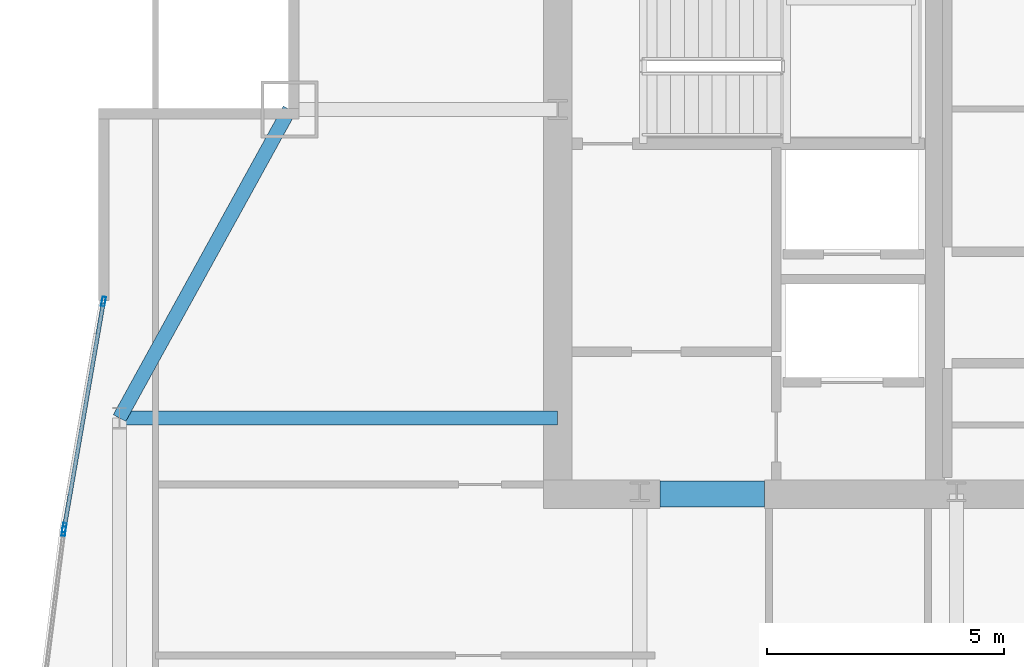
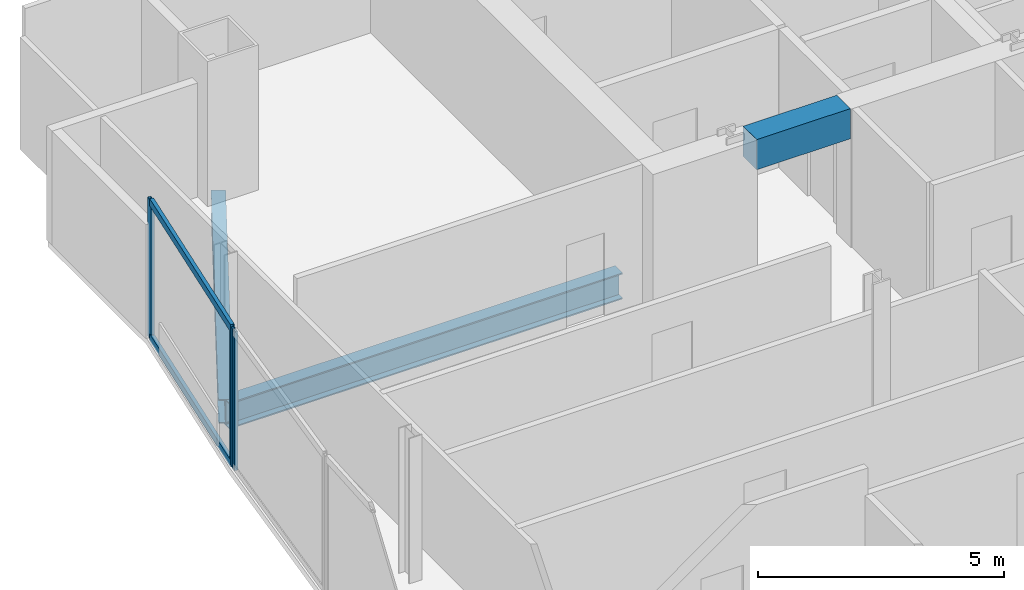
# One storey, part 20 of 30: 5 members, 3 beams, 2 elements without a shape of their own.
"""IFC4 building model written with IfcOpenShell, lengths in metres."""

from ifc_helpers import new_model, si_unit, direction, frame, origin, origin_2d, place, context, subcontext, project, spatial, rectangle, hollow_rectangle, i_section, extrude, material, material_profile, profile_set, type_object, element, aggregate, save


model = new_model("IFC4")

# Units and contexts
model_context = context("Model", 3, precision=1e-05, world=origin(), true_north=direction((0.0, 1.0)))
body_context = subcontext(model_context, "Body", "Model", "MODEL_VIEW")
ifc_project = project(units=[si_unit("LENGTHUNIT", "METRE"), si_unit("AREAUNIT", "SQUARE_METRE"), si_unit("VOLUMEUNIT", "CUBIC_METRE"), si_unit("PLANEANGLEUNIT", "RADIAN"), si_unit("MASSUNIT", "GRAM", prefix="KILO")], contexts=[model_context])

# Site, building, storey
site_placement = place(None, origin())
site = spatial("IfcSite", under=ifc_project, at=site_placement, CompositionType="ELEMENT")
building_placement = place(site_placement, origin())
building = spatial("IfcBuilding", under=site, at=building_placement, Name="Khoronbel Lancet Exchange", CompositionType="ELEMENT")
storey_placement = place(building_placement, frame((0.0, 0.0, 224.60009765625)))
storey = spatial("IfcBuildingStorey", under=building, at=storey_placement, Name="L57", CompositionType="ELEMENT", Elevation=224.60009765625)

# Beams
ifc_material_1 = material(Name="Steel S355", Category="steel")
ifc_material_profile_1 = material_profile(ifc_material_1, i_section(OverallWidth=0.300048828125, OverallDepth=0.64990234375, WebThickness=0.01611328125, FlangeThickness=0.031005859375, at=origin_2d()), Name="HEB 650")
ifc_profile_set_1 = profile_set([ifc_material_profile_1], Name="Steel S355")
beam_type_1 = type_object("IfcBeamType", Name="BM-BG4", PredefinedType="BEAM", material=ifc_profile_set_1)
beam_1_placement = place(storey_placement, frame((7.27001953125, 43.199951171875, -0.485107421875), z_axis=(1.0, 0.0, 0.0), x_axis=(0.0, 1.0, 0.0)))
element("IfcBeam", 1, at=beam_1_placement, inside=storey, type_object=beam_type_1, Name="Level L57 west lens tie girder LG3W", PredefinedType="BEAM", context=body_context, shape_type="SweptSolid", body=[
    extrude(i_section(OverallWidth=0.300048828125, OverallDepth=0.64990234375, WebThickness=0.01611328125, FlangeThickness=0.031005859375, at=origin_2d()), origin(), (0.0, 0.0, 1.0), 9.22998046875),
])
ifc_material_2 = material(Name="Concrete C60/75", Category="concrete")
ifc_material_profile_2 = material_profile(ifc_material_2, rectangle(XDim=0.550048828125, YDim=0.75, at=origin_2d()), Name="RC 550x750")
ifc_profile_set_2 = profile_set([ifc_material_profile_2], Name="Concrete C60/75")
beam_type_2 = type_object("IfcBeamType", Name="BM-BL2", PredefinedType="LINTEL", material=ifc_profile_set_2)
beam_2_placement = place(storey_placement, frame((18.64990234375, 41.60009765625, 3.06494140625), z_axis=(1.0, 0.0, 0.0), x_axis=(0.0, 1.0, 0.0)))
element("IfcBeam", 2, at=beam_2_placement, inside=storey, type_object=beam_type_2, Name="Level L57 rear core coupling lintel L1", PredefinedType="LINTEL", context=body_context, shape_type="SweptSolid", body=[
    extrude(rectangle(XDim=0.550048828125, YDim=0.75, at=origin_2d()), origin(), (0.0, 0.0, 1.0), 2.2001953125),
])
ifc_material_profile_3 = material_profile(ifc_material_1, i_section(OverallWidth=0.300048828125, OverallDepth=0.60009765625, WebThickness=0.015380859375, FlangeThickness=0.030029296875, at=origin_2d()), Name="HEB 600")
ifc_profile_set_3 = profile_set([ifc_material_profile_3], Name="Steel S355")
beam_type_3 = type_object("IfcBeamType", Name="BM-BSP2", PredefinedType="SPANDREL", material=ifc_profile_set_3)
beam_3_placement = place(storey_placement, frame((10.85009765625, 49.699951171875, -0.460205078125), z_axis=(-0.482444051088, -0.875926787791, 0.0), x_axis=(0.875926787791, -0.482444051088, 0.0)))
element("IfcBeam", 3, at=beam_3_placement, inside=storey, type_object=beam_type_3, Name="Level L57 perimeter spandrel beam SP16", PredefinedType="SPANDREL", context=body_context, shape_type="SweptSolid", body=[
    extrude(i_section(OverallWidth=0.300048828125, OverallDepth=0.60009765625, WebThickness=0.015380859375, FlangeThickness=0.030029296875, at=origin_2d()), origin(), (0.0, 0.0, 1.0), 7.420654296875),
])

# Curtain wall, member
ifc_material_3 = material(Name="Low-E Solar Control Insulating Glass", Category="glass")
curtain_wall_type = type_object("IfcCurtainWallType", Name="CW-4", PredefinedType="NOTDEFINED", material=ifc_material_3)
curtain_wall_1_placement = place(storey_placement, origin())
curtain_wall_1 = element("IfcCurtainWall", 4, at=curtain_wall_1_placement, inside=storey, type_object=curtain_wall_type, Name="Unitised curtain wall CW-L57-E08", PredefinedType="NOTDEFINED")
ifc_material_4 = material(Name="Bronze-Anodised Aluminium 6063-T6", Category="aluminium")
ifc_material_profile_4 = material_profile(ifc_material_4, hollow_rectangle(XDim=0.074951171875, YDim=0.199951171875, WallThickness=0.0048828125, at=origin_2d()), Name="ALU MULLION 75x200")
ifc_profile_set_4 = profile_set([ifc_material_profile_4], Name="Bronze-Anodised Aluminium 6063-T6")
member_type_1 = type_object("IfcMemberType", Name="MEM-CWM2", PredefinedType="MULLION", material=ifc_profile_set_4)
member_1_placement = place(storey_placement, frame((6.09619140625, 40.816162109375, 0.0), z_axis=(0.0, 0.0, 1.0), x_axis=(-0.992040249604, 0.125921178381, 0.0)))
member_1 = element("IfcMember", 5, at=member_1_placement, type_object=member_type_1, Name="CW4 mullion 2", PredefinedType="MULLION", context=body_context, shape_type="SweptSolid", body=[
    extrude(hollow_rectangle(XDim=0.074951171875, YDim=0.199951171875, WallThickness=0.0048828125, at=origin_2d()), origin(), (0.0, 0.0, 1.0), 3.43994140625),
])
aggregate(curtain_wall_1, [member_1])

# Curtain wall, members
curtain_wall_2_placement = place(storey_placement, origin())
curtain_wall_2 = element("IfcCurtainWall", 6, at=curtain_wall_2_placement, inside=storey, type_object=curtain_wall_type, Name="Unitised curtain wall CW-L57-E09", PredefinedType="NOTDEFINED")
member_2_placement = place(storey_placement, frame((6.107421875, 40.89013671875, 0.0), z_axis=(0.0, 0.0, 1.0), x_axis=(-0.985299795883, 0.170834165885, 0.0)))
member_2 = element("IfcMember", 7, at=member_2_placement, type_object=member_type_1, Name="CW4 mullion 1", PredefinedType="MULLION", context=body_context, shape_type="SweptSolid", body=[
    extrude(hollow_rectangle(XDim=0.074951171875, YDim=0.199951171875, WallThickness=0.0048828125, at=origin_2d()), origin(), (0.0, 0.0, 1.0), 3.43994140625),
])
member_3_placement = place(storey_placement, frame((6.93359375, 45.6552734375, 0.0), z_axis=(0.0, 0.0, 1.0), x_axis=(-0.985299795883, 0.170834165885, 0.0)))
member_3 = element("IfcMember", 8, at=member_3_placement, type_object=member_type_1, Name="CW4 mullion 2", PredefinedType="MULLION", context=body_context, shape_type="SweptSolid", body=[
    extrude(hollow_rectangle(XDim=0.074951171875, YDim=0.199951171875, WallThickness=0.0048828125, at=origin_2d()), origin(), (0.0, 0.0, 1.0), 3.43994140625),
])
ifc_material_profile_5 = material_profile(ifc_material_4, hollow_rectangle(XDim=0.0849609375, YDim=0.179931640625, WallThickness=0.0048828125, at=origin_2d()), Name="ALU TRANSOM 85x180")
ifc_profile_set_5 = profile_set([ifc_material_profile_5], Name="Bronze-Anodised Aluminium 6063-T6")
member_type_2 = type_object("IfcMemberType", Name="MEM-CWT1", PredefinedType="USERDEFINED", material=ifc_profile_set_5)
member_4_placement = place(storey_placement, frame((6.11376953125, 40.92724609375, 0.04248046875), z_axis=(0.170856417588, 0.985295937558, 0.0), x_axis=(-0.985295937558, 0.170856417588, 0.0)))
member_4 = element("IfcMember", 9, at=member_4_placement, type_object=member_type_2, Name="CW4 transom 1.1", ObjectType="TRANSOM", PredefinedType="USERDEFINED", context=body_context, shape_type="SweptSolid", body=[
    extrude(hollow_rectangle(XDim=0.0849609375, YDim=0.179931640625, WallThickness=0.0048828125, at=origin_2d()), origin(), (0.0, 0.0, 1.0), 4.76123046875),
])
member_5_placement = place(storey_placement, frame((6.11376953125, 40.92724609375, 3.3974609375), z_axis=(0.170856417588, 0.985295937558, 0.0), x_axis=(-0.985295937558, 0.170856417588, 0.0)))
member_5 = element("IfcMember", 10, at=member_5_placement, type_object=member_type_2, Name="CW4 transom 1.2", ObjectType="TRANSOM", PredefinedType="USERDEFINED", context=body_context, shape_type="SweptSolid", body=[
    extrude(hollow_rectangle(XDim=0.0849609375, YDim=0.179931640625, WallThickness=0.0048828125, at=origin_2d()), origin(), (0.0, 0.0, 1.0), 4.76123046875),
])
aggregate(curtain_wall_2, [member_2, member_3, member_4, member_5])

save(model, "model.ifc")
